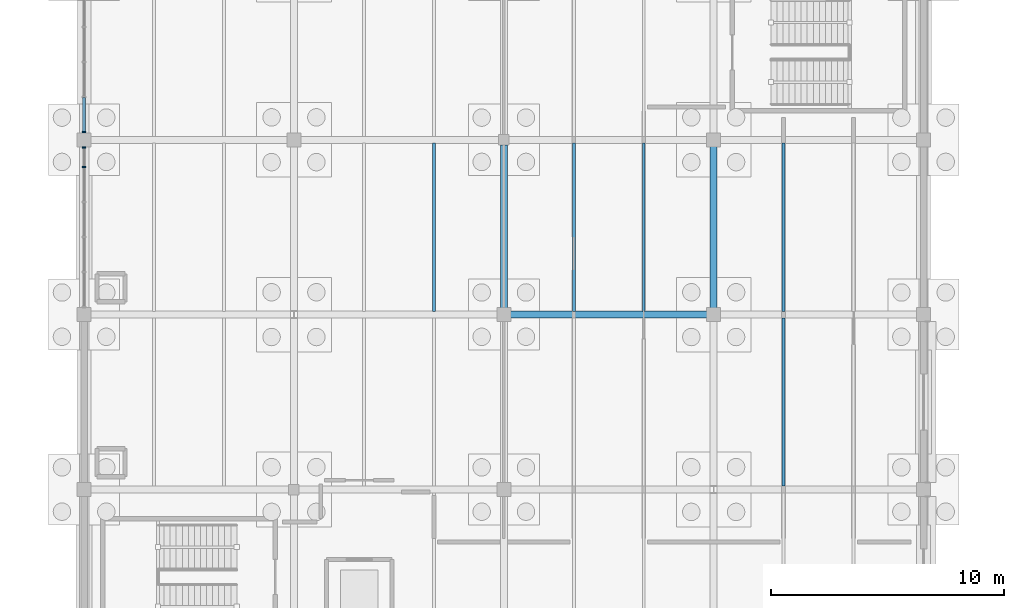
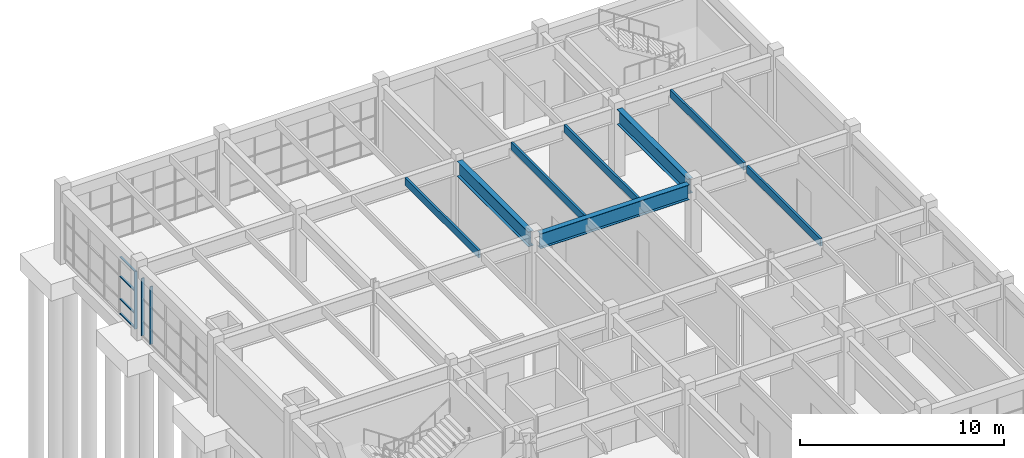
# One storey, part 34 of 93: 8 beams, 7 members, 2 elements without a shape of their own.
"""IFC4 building model written with IfcOpenShell, lengths in metres."""

from ifc_helpers import new_model, si_unit, direction, frame, origin, origin_2d, place, context, subcontext, project, spatial, rectangle, i_section, extrude, material, layer, layer_set, material_profile, profile_set, type_object, element, aggregate, save


model = new_model("IFC4")

# Units and contexts
model_context = context("Model", 3, precision=1e-05, world=origin(), true_north=direction((0.0, 1.0)))
body_context = subcontext(model_context, "Body", "Model", "MODEL_VIEW")
ifc_project = project(units=[si_unit("LENGTHUNIT", "METRE"), si_unit("AREAUNIT", "SQUARE_METRE"), si_unit("VOLUMEUNIT", "CUBIC_METRE"), si_unit("PLANEANGLEUNIT", "RADIAN"), si_unit("MASSUNIT", "GRAM", prefix="KILO")], contexts=[model_context])

# Site, building, storey
site_placement = place(None, origin())
site = spatial("IfcSite", under=ifc_project, at=site_placement, CompositionType="ELEMENT")
building_placement = place(site_placement, origin())
building = spatial("IfcBuilding", under=site, at=building_placement, Name="Marnridge Secondary College", CompositionType="ELEMENT")
storey_placement = place(building_placement, origin())
storey = spatial("IfcBuildingStorey", under=building, at=storey_placement, Name="L00", CompositionType="ELEMENT", Elevation=0.0)

# Beams
ifc_material_1 = material(Name="Engineered timber LVL E13.2", Category="wood")
ifc_material_profile_1 = material_profile(ifc_material_1, rectangle(XDim=0.1259765625, YDim=0.449951171875, at=origin_2d()), Name="LVL 126x450")
ifc_profile_set_1 = profile_set([ifc_material_profile_1], Name="Engineered timber LVL E13.2")
beam_type_1 = type_object("IfcBeamType", Name="BM-LVL450-INT", PredefinedType="JOIST", material=ifc_profile_set_1)
for number, where, z_axis, x_axis, name in (
    (1, (15.0, 105.14404296875, 3.875), (0.0, 1.0, 0.0), (-1.0, 0.0, 0.0), "Beam BJ-L00-0290"),
    (2, (21.0, 105.14404296875, 3.875), (0.0, 1.0, 0.0), (-1.0, 0.0, 0.0), "Beam BJ-L00-0299"),
    (3, (24.0, 105.14404296875, 3.875), (0.0, 1.0, 0.0), (-1.0, 0.0, 0.0), "Beam BJ-L00-0300"),
    (4, (30.0, 97.64404296875, 3.875), (0.0, 1.0, 0.0), (-1.0, 0.0, 0.0), "Beam BJ-L00-0307"),
    (5, (30.0, 105.14404296875, 3.875), (0.0, 1.0, 0.0), (-1.0, 0.0, 0.0), "Beam BJ-L00-0309"),
):
    element("IfcBeam", number, at=place(storey_placement, frame(where, z_axis=z_axis, x_axis=x_axis)), inside=storey, type_object=beam_type_1, Name=name, PredefinedType="JOIST", context=body_context, shape_type="SweptSolid", body=[
        extrude(rectangle(XDim=0.1259765625, YDim=0.449951171875, at=origin_2d()), origin(), (0.0, 0.0, 1.0), 7.2119140625),
    ])
ifc_material_2 = material(Name="Structural steel Grade 350 (AS/NZS 3679.1/.2, fy = 340-360 MPa)", Category="steel")
ifc_material_profile_2 = material_profile(ifc_material_2, i_section(OverallWidth=0.300048828125, OverallDepth=0.89990234375, WebThickness=0.011962890625, FlangeThickness=0.02001953125, at=origin_2d()), Name="900WB175")
ifc_profile_set_2 = profile_set([ifc_material_profile_2], Name="Structural steel Grade 350 (AS/NZS 3679.1/.2, fy = 340-360 MPa)")
beam_type_2 = type_object("IfcBeamType", Name="BM-WB900-INT", PredefinedType="BEAM", material=ifc_profile_set_2)
beam_1_placement = place(storey_placement, frame((18.0, 105.2939453125, 3.64990234375), z_axis=(0.0, 1.0, 0.0), x_axis=(-1.0, 0.0, 0.0)))
element("IfcBeam", 6, at=beam_1_placement, inside=storey, type_object=beam_type_2, Name="Beam B-L00-0246", PredefinedType="BEAM", context=body_context, shape_type="SweptSolid", body=[
    extrude(i_section(OverallWidth=0.300048828125, OverallDepth=0.89990234375, WebThickness=0.011962890625, FlangeThickness=0.02001953125, at=origin_2d()), origin(), (0.0, 0.0, 1.0), 6.987060546875),
])
beam_2_placement = place(storey_placement, frame((18.2939453125, 105.0, 3.64990234375), z_axis=(1.0, 0.0, 0.0), x_axis=(0.0, 1.0, 0.0)))
element("IfcBeam", 7, at=beam_2_placement, inside=storey, type_object=beam_type_2, Name="Beam B-L00-0254", PredefinedType="BEAM", context=body_context, shape_type="SweptSolid", body=[
    extrude(i_section(OverallWidth=0.300048828125, OverallDepth=0.89990234375, WebThickness=0.011962890625, FlangeThickness=0.02001953125, at=origin_2d()), origin(), (0.0, 0.0, 1.0), 8.412109375),
])
beam_3_placement = place(storey_placement, frame((27.0, 105.2939453125, 3.64990234375), z_axis=(0.0, 1.0, 0.0), x_axis=(-1.0, 0.0, 0.0)))
element("IfcBeam", 8, at=beam_3_placement, inside=storey, type_object=beam_type_2, Name="Beam B-L00-0257", PredefinedType="BEAM", context=body_context, shape_type="SweptSolid", body=[
    extrude(i_section(OverallWidth=0.300048828125, OverallDepth=0.89990234375, WebThickness=0.011962890625, FlangeThickness=0.02001953125, at=origin_2d()), origin(), (0.0, 0.0, 1.0), 6.912109375),
])

# Curtain wall, members
ifc_material_3 = material(Name="Thermally broken aluminium and low-E glazing", Category="aluminium")
ifc_layer = layer(ifc_material_3, 0.159912109375)
ifc_layer_set = layer_set([ifc_layer], Name="CW-MOD-1500")
curtain_wall_type = type_object("IfcCurtainWallType", Name="CW-MOD-1500", PredefinedType="NOTDEFINED", material=ifc_layer_set)
curtain_wall_1_placement = place(storey_placement, origin())
curtain_wall_1 = element("IfcCurtainWall", 9, at=curtain_wall_1_placement, inside=storey, type_object=curtain_wall_type, Name="Unitised curtain wall CW-L00-017", PredefinedType="NOTDEFINED")
ifc_material_4 = material(Name="Anodised aluminium 6063-T6", Category="aluminium")
ifc_material_profile_3 = material_profile(ifc_material_4, rectangle(XDim=0.06005859375, YDim=0.159912109375, at=origin_2d()), Name="ALU 60x160")
ifc_profile_set_3 = profile_set([ifc_material_profile_3], Name="Anodised aluminium 6063-T6")
member_type_1 = type_object("IfcMemberType", Name="CWM-ALU160", PredefinedType="MULLION", material=ifc_profile_set_3)
member_1_placement = place(storey_placement, frame((0.0, 111.333984375, 0.0), z_axis=(0.0, 0.0, 1.0), x_axis=(0.0, 1.0, 0.0)))
member_1 = element("IfcMember", 10, at=member_1_placement, type_object=member_type_1, Name="CW-L00-017 mullion 5", PredefinedType="MULLION", context=body_context, shape_type="SweptSolid", body=[
    extrude(rectangle(XDim=0.06005859375, YDim=0.159912109375, at=origin_2d()), origin(), (0.0, 0.0, 1.0), 3.44189453125),
])
member_2_placement = place(storey_placement, frame((0.0, 112.166015625, 0.0), z_axis=(0.0, 0.0, 1.0), x_axis=(0.0, 1.0, 0.0)))
member_2 = element("IfcMember", 11, at=member_2_placement, type_object=member_type_1, Name="CW-L00-017 mullion 6", PredefinedType="MULLION", context=body_context, shape_type="SweptSolid", body=[
    extrude(rectangle(XDim=0.06005859375, YDim=0.159912109375, at=origin_2d()), origin(), (0.0, 0.0, 1.0), 3.44189453125),
])
aggregate(curtain_wall_1, [member_1, member_2])

curtain_wall_2_placement = place(storey_placement, origin())
curtain_wall_2 = element("IfcCurtainWall", 12, at=curtain_wall_2_placement, inside=storey, type_object=curtain_wall_type, Name="Unitised curtain wall CW-L00-018", PredefinedType="NOTDEFINED")
member_3_placement = place(storey_placement, frame((0.0, 112.833984375, 0.0), z_axis=(0.0, 0.0, 1.0), x_axis=(0.0, 1.0, 0.0)))
member_3 = element("IfcMember", 13, at=member_3_placement, type_object=member_type_1, Name="CW-L00-018 mullion 1", PredefinedType="MULLION", context=body_context, shape_type="SweptSolid", body=[
    extrude(rectangle(XDim=0.06005859375, YDim=0.159912109375, at=origin_2d()), origin(), (0.0, 0.0, 1.0), 3.44189453125),
])
ifc_material_5 = material(Name="Anodised aluminium 6063-T6", Category="aluminium")
ifc_material_profile_4 = material_profile(ifc_material_5, rectangle(XDim=0.06005859375, YDim=0.1201171875, at=origin_2d()), Name="ALU 60x120")
ifc_profile_set_4 = profile_set([ifc_material_profile_4], Name="Anodised aluminium 6063-T6")
member_type_2 = type_object("IfcMemberType", Name="CWT-ALU120", PredefinedType="USERDEFINED", material=ifc_profile_set_4)
member_4_placement = place(storey_placement, frame((0.0, 112.864013671875, 0.030029296875), z_axis=(0.0, 1.0, 0.0), x_axis=(0.0, 0.0, 1.0)))
member_4 = element("IfcMember", 14, at=member_4_placement, type_object=member_type_2, Name="CW-L00-018 transom 1.1", ObjectType="TRANSOM", PredefinedType="USERDEFINED", context=body_context, shape_type="SweptSolid", body=[
    extrude(rectangle(XDim=0.06005859375, YDim=0.1201171875, at=origin_2d()), origin(), (0.0, 0.0, 1.0), 1.43994140625),
])
member_5_placement = place(storey_placement, frame((0.0, 112.864013671875, 0.89990234375), z_axis=(0.0, 1.0, 0.0), x_axis=(0.0, 0.0, 1.0)))
member_5 = element("IfcMember", 15, at=member_5_placement, type_object=member_type_2, Name="CW-L00-018 transom 1.2", ObjectType="TRANSOM", PredefinedType="USERDEFINED", context=body_context, shape_type="SweptSolid", body=[
    extrude(rectangle(XDim=0.06005859375, YDim=0.1201171875, at=origin_2d()), origin(), (0.0, 0.0, 1.0), 1.43994140625),
])
member_6_placement = place(storey_placement, frame((0.0, 112.864013671875, 2.25), z_axis=(0.0, 1.0, 0.0), x_axis=(0.0, 0.0, 1.0)))
member_6 = element("IfcMember", 16, at=member_6_placement, type_object=member_type_2, Name="CW-L00-018 transom 1.3", ObjectType="TRANSOM", PredefinedType="USERDEFINED", context=body_context, shape_type="SweptSolid", body=[
    extrude(rectangle(XDim=0.06005859375, YDim=0.1201171875, at=origin_2d()), origin(), (0.0, 0.0, 1.0), 1.43994140625),
])
member_7_placement = place(storey_placement, frame((0.0, 112.864013671875, 3.412109375), z_axis=(0.0, 1.0, 0.0), x_axis=(0.0, 0.0, 1.0)))
member_7 = element("IfcMember", 17, at=member_7_placement, type_object=member_type_2, Name="CW-L00-018 transom 1.4", ObjectType="TRANSOM", PredefinedType="USERDEFINED", context=body_context, shape_type="SweptSolid", body=[
    extrude(rectangle(XDim=0.06005859375, YDim=0.1201171875, at=origin_2d()), origin(), (0.0, 0.0, 1.0), 1.43994140625),
])
aggregate(curtain_wall_2, [member_3, member_4, member_5, member_6, member_7])

save(model, "model.ifc")
